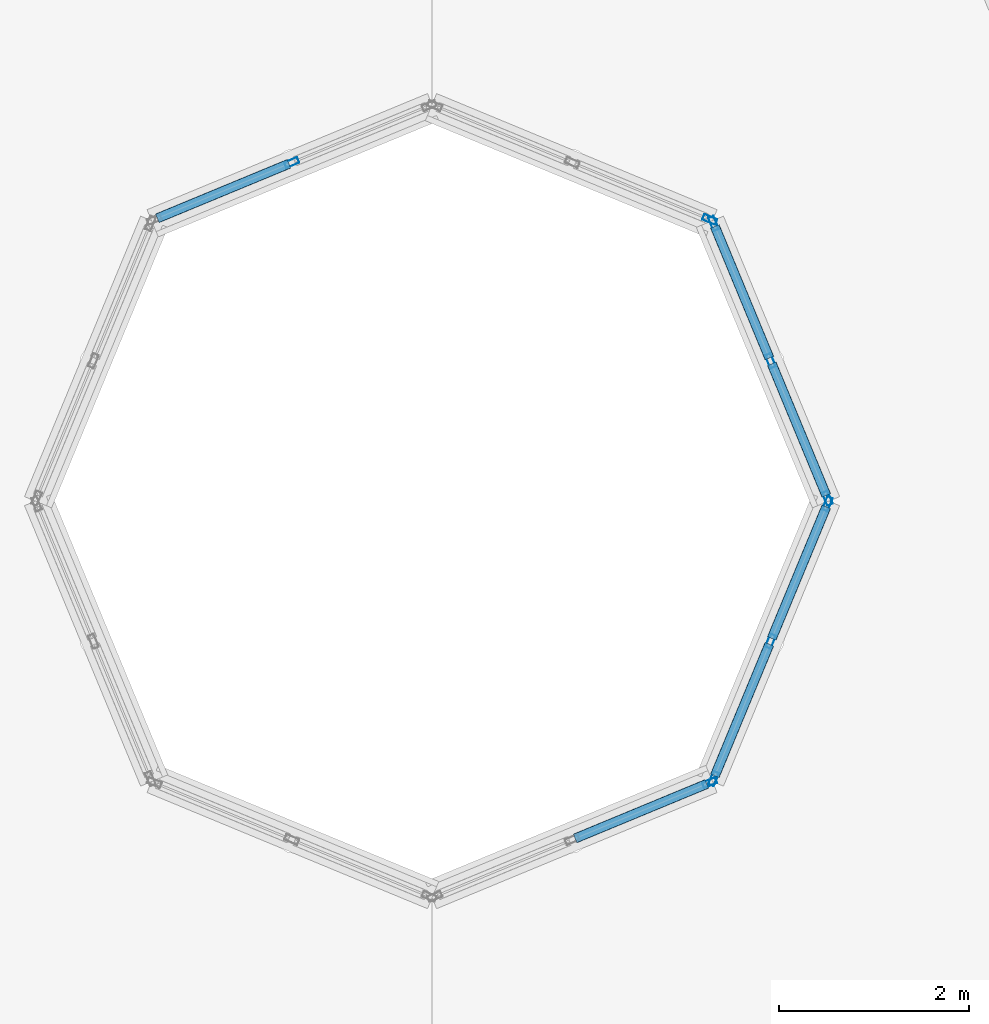
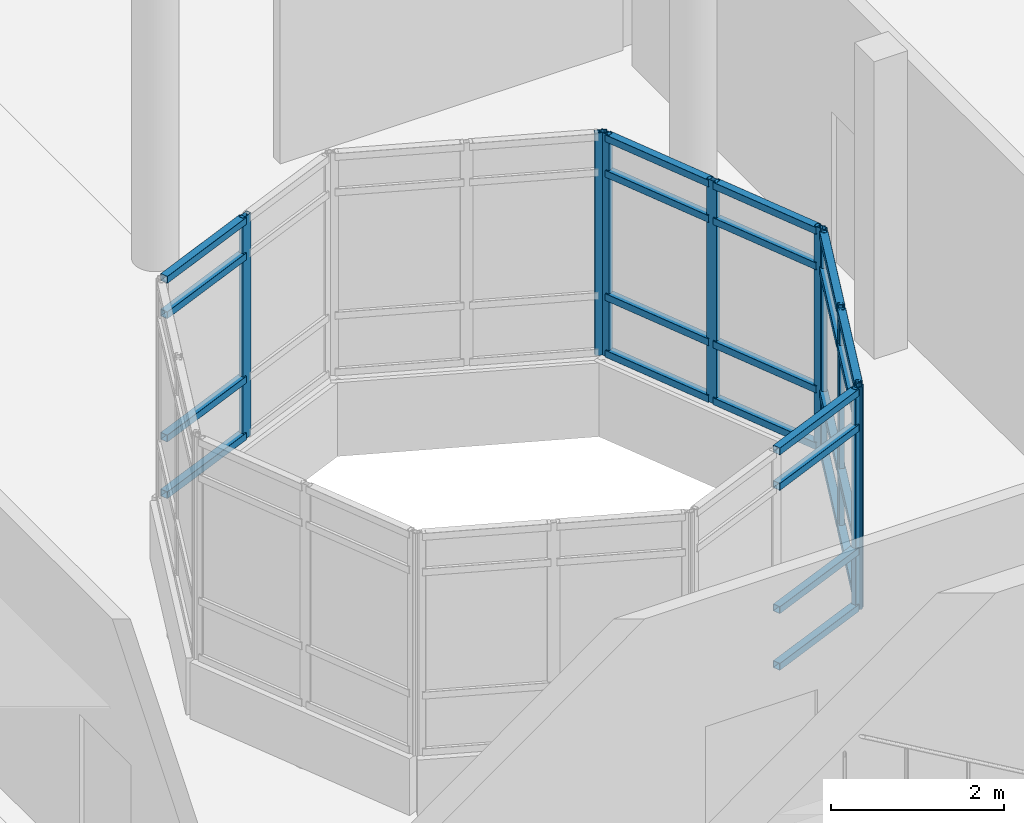
# One storey, part 80 of 128: 33 members, 5 elements without a shape of their own.
"""IFC4 building model written with IfcOpenShell, lengths in metres."""

import ifcopenshell
import ifcopenshell.guid

model = None  # the IFC model being written
_history = None  # IfcOwnerHistory: only IFC2X3 demands one
_inside = {}  # id of a spatial element -> (the spatial element, [elements in it])
_under = {}  # id of a project, library or spatial element -> (it, [spatial elements below it])
_declared = {}  # id of a project -> (the project, [libraries it declares])
_typed = {}  # id of a type object -> (the type object, [elements of that type])
_made_of = {}  # id of a material, layer set ... -> (it, [elements and type objects made of it])


def new_model(schema):
    """Start an empty IFC model of exactly this schema.

    Asked for "IFC4X3", IfcOpenShell would pick the latest addendum, in which some entities
    have other attributes; the version numbers below select the first issue.
    IFC2X3 requires an IfcOwnerHistory on every rooted entity: one is made here for all.
    """
    global model, _history
    if schema == "IFC4X3":
        model = ifcopenshell.file(schema_version=(4, 3, 0, 0))
    else:
        model = ifcopenshell.file(schema=schema)
    _inside.clear()
    _under.clear()
    _declared.clear()
    _typed.clear()
    _made_of.clear()
    _history = None
    if model.schema == "IFC2X3":
        org = make("IfcOrganization", Name="unknown")
        user = make(
            "IfcPersonAndOrganization",
            ThePerson=make("IfcPerson", FamilyName="unknown"),
            TheOrganization=org,
        )
        app = make(
            "IfcApplication",
            ApplicationDeveloper=org,
            Version="unknown",
            ApplicationFullName="unknown",
            ApplicationIdentifier="unknown",
        )
        _history = make(
            "IfcOwnerHistory",
            OwningUser=user,
            OwningApplication=app,
            ChangeAction="ADDED",
            CreationDate=0,
        )
    return model


def make(cls, **values):
    """One entity of the class cls with the attributes given. An attribute that is None is left unset."""
    return model.create_entity(
        cls, **{name: value for name, value in values.items() if value is not None}
    )


def rooted(cls, **values):
    """An entity with a GlobalId (a new one), such as an element, a storey or a relation."""
    return make(cls, GlobalId=ifcopenshell.guid.new(), OwnerHistory=_history, **values)


def si_unit(unit_type, name, prefix=None):
    """IfcSIUnit, for example si_unit("LENGTHUNIT", "METRE", prefix="MILLI")."""
    return make("IfcSIUnit", UnitType=unit_type, Prefix=prefix, Name=name)


def assignment(units):
    """IfcUnitAssignment: the units of a project."""
    return None if units is None else make("IfcUnitAssignment", Units=units)


def point(xyz):
    """IfcCartesianPoint."""
    return None if xyz is None else make("IfcCartesianPoint", Coordinates=xyz)


def direction(xyz):
    """IfcDirection."""
    return None if xyz is None else make("IfcDirection", DirectionRatios=xyz)


def frame(location, z_axis=None, x_axis=None):
    """IfcAxis2Placement3D, a coordinate frame: its origin and axes. An axis left out is left unset."""
    return make(
        "IfcAxis2Placement3D",
        Location=point(location),
        Axis=direction(z_axis),
        RefDirection=direction(x_axis),
    )


def frame_2d(location, x_axis=None):
    """IfcAxis2Placement2D, a coordinate frame in the plane: its origin and x axis."""
    return make(
        "IfcAxis2Placement2D", Location=point(location), RefDirection=direction(x_axis)
    )


def origin():
    """The frame at (0, 0, 0) with its axes left unset."""
    return frame((0.0, 0.0, 0.0))


def origin_2d():
    """The frame at (0, 0) in the plane with its x axis left unset."""
    return frame_2d((0.0, 0.0))


def place(relative_to, where):
    """IfcLocalPlacement: puts the frame where relative to a parent placement (None: the world)."""
    return make(
        "IfcLocalPlacement", PlacementRelTo=relative_to, RelativePlacement=where
    )


def context(
    kind, dimensions, precision=None, world=None, true_north=None, identifier=None
):
    """IfcGeometricRepresentationContext, for example the 3D "Model" context."""
    return make(
        "IfcGeometricRepresentationContext",
        ContextIdentifier=identifier,
        ContextType=kind,
        CoordinateSpaceDimension=dimensions,
        Precision=precision,
        WorldCoordinateSystem=world,
        TrueNorth=true_north,
    )


def subcontext(parent, identifier, kind, view, scale=None):
    """IfcGeometricRepresentationSubContext, for example "Body" below "Model"."""
    return make(
        "IfcGeometricRepresentationSubContext",
        ContextIdentifier=identifier,
        ContextType=kind,
        ParentContext=parent,
        TargetScale=scale,
        TargetView=view,
    )


def project(units=None, contexts=None):
    """IfcProject with its units and contexts."""
    return rooted(
        "IfcProject",
        Name="project",
        RepresentationContexts=contexts,
        UnitsInContext=assignment(units),
    )


def spatial(cls, under=None, at=None, **own):
    """A site, building, storey or space (cls), placed at a placement, below another one or the project."""
    s = rooted(cls, ObjectPlacement=at, **own)
    if under is not None:
        _under.setdefault(under.id(), (under, []))[1].append(s)
    return s


def profile(cls, at=None, kind="AREA", **sizes):
    """A parametric profile (cls). Its sizes go by their IFC names, for example OverallWidth=200.0."""
    return make(cls, ProfileType=kind, Position=at, **sizes)


def hollow_rectangle(**sizes):
    """IfcRectangleHollowProfileDef."""
    return profile("IfcRectangleHollowProfileDef", **sizes)


def extrude(swept, where, along, depth):
    """IfcExtrudedAreaSolid: the profile swept, set in the frame where, extruded along a direction by depth."""
    return make(
        "IfcExtrudedAreaSolid",
        SweptArea=swept,
        Position=where,
        ExtrudedDirection=direction(along),
        Depth=depth,
    )


def shape(context_of_items, identifier, shape_type, items):
    """IfcShapeRepresentation: the items that make up one representation, for example the "Body"."""
    return make(
        "IfcShapeRepresentation",
        ContextOfItems=context_of_items,
        RepresentationIdentifier=identifier,
        RepresentationType=shape_type,
        Items=items,
    )


def material(Name=None, Category=None):
    """IfcMaterial."""
    return make("IfcMaterial", Name=Name, Category=Category)


def layer(
    of_material, thickness, ventilated=None, Name=None, Category=None, Priority=None
):
    """IfcMaterialLayer: one layer of a wall or slab, of a material (None: an air gap)."""
    return make(
        "IfcMaterialLayer",
        Material=of_material,
        LayerThickness=thickness,
        IsVentilated=ventilated,
        Name=Name,
        Category=Category,
        Priority=Priority,
    )


def layer_set(layers, Name=None):
    """IfcMaterialLayerSet."""
    return make("IfcMaterialLayerSet", MaterialLayers=layers, LayerSetName=Name)


def material_profile(
    of_material, cross_section, Name=None, Category=None, Priority=None
):
    """IfcMaterialProfile: a cross section and its material."""
    return make(
        "IfcMaterialProfile",
        Name=Name,
        Material=of_material,
        Profile=cross_section,
        Priority=Priority,
        Category=Category,
    )


def profile_set(profiles, Name=None, composite=None):
    """IfcMaterialProfileSet."""
    return make(
        "IfcMaterialProfileSet",
        Name=Name,
        MaterialProfiles=profiles,
        CompositeProfile=composite,
    )


def made_of(thing, what):
    """Note that an element or type object is made of a material, layer set ...; save() writes the relation."""
    if what is not None:
        _made_of.setdefault(what.id(), (what, []))[1].append(thing)
    return thing


def type_object(cls, material=None, **own):
    """A type object (cls), such as IfcWallType, which elements share."""
    return made_of(rooted(cls, **own), material)


def element(
    cls,
    number,
    at=None,
    inside=None,
    cuts=None,
    type_object=None,
    material=None,
    context=None,
    identifier="Body",
    shape_type=None,
    held_by="IfcProductDefinitionShape",
    body=None,
    shapes=None,
    **own,
):
    """One element of the class cls, such as IfcWall. Its Tag is "e" and its number.

    at: its placement. inside: the storey or other place that contains it. cuts: it is an
    opening in that element (IfcRelVoidsElement). A single representation is given by context,
    identifier, shape_type and body (its items); several are given by shapes. held_by: the class
    of the entity that holds the representations. save() writes the other relations.
    """
    e = rooted(cls, Tag="e%d" % number, ObjectPlacement=at, **own)
    if body is not None:
        shapes = [shape(context, identifier, shape_type, body)]
    if shapes is not None:
        e.Representation = make(held_by, Representations=shapes)
    if inside is not None:
        _inside.setdefault(inside.id(), (inside, []))[1].append(e)
    if cuts is not None:
        rooted(
            "IfcRelVoidsElement", RelatingBuildingElement=cuts, RelatedOpeningElement=e
        )
    if type_object is not None:
        _typed.setdefault(type_object.id(), (type_object, []))[1].append(e)
    return made_of(e, material)


def aggregate(whole, parts):
    """IfcRelAggregates: a whole, such as a stair, and the parts it consists of."""
    return rooted("IfcRelAggregates", RelatingObject=whole, RelatedObjects=parts)


def save(model, path):
    """Write the relations noted so far, then the file.

    IfcRelAggregates (storeys below a building ...), IfcRelContainedInSpatialStructure (elements
    in a storey), IfcRelDefinesByType, IfcRelAssociatesMaterial and IfcRelDeclares: one each for
    every whole, place, type object, material and project.
    """
    for whole, parts in _under.values():
        aggregate(whole, parts)
    for where, things in _inside.values():
        rooted(
            "IfcRelContainedInSpatialStructure",
            RelatedElements=things,
            RelatingStructure=where,
        )
    for kind, things in _typed.values():
        rooted("IfcRelDefinesByType", RelatedObjects=things, RelatingType=kind)
    for what, things in _made_of.values():
        rooted("IfcRelAssociatesMaterial", RelatedObjects=things, RelatingMaterial=what)
    for by, libraries in _declared.values():
        rooted("IfcRelDeclares", RelatingContext=by, RelatedDefinitions=libraries)
    model.write(path)


model = new_model("IFC4")

# Units and contexts
model_context = context("Model", 3, precision=1e-05, world=origin(), true_north=direction((0.0, 1.0)))
body_context = subcontext(model_context, "Body", "Model", "MODEL_VIEW")
ifc_project = project(units=[si_unit("LENGTHUNIT", "METRE"), si_unit("AREAUNIT", "SQUARE_METRE"), si_unit("VOLUMEUNIT", "CUBIC_METRE"), si_unit("PLANEANGLEUNIT", "RADIAN"), si_unit("MASSUNIT", "GRAM", prefix="KILO")], contexts=[model_context])

# Site, building, storey
site_placement = place(None, origin())
site = spatial("IfcSite", under=ifc_project, at=site_placement, CompositionType="ELEMENT")
building_placement = place(site_placement, origin())
building = spatial("IfcBuilding", under=site, at=building_placement, Name="Vespera Passage Community Centre", CompositionType="ELEMENT")
storey_placement = place(building_placement, frame((0.0, 0.0, 4.5)))
storey = spatial("IfcBuildingStorey", under=building, at=storey_placement, Name="L01", CompositionType="ELEMENT", Elevation=4.5)

# Curtain wall, members
ifc_material_1 = material(Name="Anodized aluminium 6063-T6", Category="aluminium")
ifc_layer = layer(ifc_material_1, 0.159912109375)
ifc_layer_set = layer_set([ifc_layer], Name="Anodized aluminium 6063-T6")
curtain_wall_type = type_object("IfcCurtainWallType", Name="CW-107E", PredefinedType="NOTDEFINED", material=ifc_layer_set)
curtain_wall_1_placement = place(storey_placement, origin())
curtain_wall_1 = element("IfcCurtainWall", 1, at=curtain_wall_1_placement, inside=storey, type_object=curtain_wall_type, Name="V3 L01 Inner Court Ribbon Curtain Wall 1", PredefinedType="NOTDEFINED")
ifc_material_2 = material(Name="Anodized aluminium 6063-T6", Category="aluminium")
ifc_material_profile_1 = material_profile(ifc_material_2, hollow_rectangle(XDim=0.06494140625, YDim=0.14990234375, WallThickness=0.00390625, InnerFilletRadius=0.001953125, OuterFilletRadius=0.00390625, at=origin_2d()), Name="ALU150X65X4")
ifc_profile_set_1 = profile_set([ifc_material_profile_1], Name="Anodized aluminium 6063-T6")
member_type_1 = type_object("IfcMemberType", Name="MB-CWM-150E", PredefinedType="MULLION", material=ifc_profile_set_1)
member_1_placement = place(storey_placement, frame((145.16748046875, 25.030029296875, 0.800048828125), z_axis=(0.0, 0.0, 1.0), x_axis=(-0.923878540804, -0.382685826549, 0.0)))
member_1 = element("IfcMember", 2, at=member_1_placement, type_object=member_type_1, Name="CW-107E mullion 1", PredefinedType="MULLION", context=body_context, shape_type="SweptSolid", body=[
    extrude(hollow_rectangle(XDim=0.06494140625, YDim=0.14990234375, WallThickness=0.00390625, InnerFilletRadius=0.001953125, OuterFilletRadius=0.00390625, at=origin_2d()), origin(), (0.0, 0.0, 1.0), 3.139892578125),
])
member_2_placement = place(storey_placement, frame((144.56787109375, 26.477783203125, 0.800048828125), z_axis=(0.0, 0.0, 1.0), x_axis=(-0.923878540804, -0.382685826549, 0.0)))
member_2 = element("IfcMember", 3, at=member_2_placement, type_object=member_type_1, Name="CW-107E mullion 2", PredefinedType="MULLION", context=body_context, shape_type="SweptSolid", body=[
    extrude(hollow_rectangle(XDim=0.06494140625, YDim=0.14990234375, WallThickness=0.00390625, InnerFilletRadius=0.001953125, OuterFilletRadius=0.00390625, at=origin_2d()), origin(), (0.0, 0.0, 1.0), 3.139892578125),
])
member_3_placement = place(storey_placement, frame((143.968017578125, 27.92578125, 0.800048828125), z_axis=(0.0, 0.0, 1.0), x_axis=(-0.923878540804, -0.382685826549, 0.0)))
member_3 = element("IfcMember", 4, at=member_3_placement, type_object=member_type_1, Name="CW-107E mullion 3", PredefinedType="MULLION", context=body_context, shape_type="SweptSolid", body=[
    extrude(hollow_rectangle(XDim=0.06494140625, YDim=0.14990234375, WallThickness=0.00390625, InnerFilletRadius=0.001953125, OuterFilletRadius=0.00390625, at=origin_2d()), origin(), (0.0, 0.0, 1.0), 3.139892578125),
])

# Curtain wall, member
curtain_wall_2_placement = place(storey_placement, origin())
curtain_wall_2 = element("IfcCurtainWall", 5, at=curtain_wall_2_placement, inside=storey, type_object=curtain_wall_type, Name="V3 L01 Inner Court Ribbon Curtain Wall 2", PredefinedType="NOTDEFINED")
member_4_placement = place(storey_placement, frame((143.92578125, 27.968017578125, 0.800048828125), z_axis=(0.0, 0.0, 1.0), x_axis=(-0.382685826549, -0.923878540804, 0.0)))
member_4 = element("IfcMember", 6, at=member_4_placement, type_object=member_type_1, Name="CW-107E mullion 1", PredefinedType="MULLION", context=body_context, shape_type="SweptSolid", body=[
    extrude(hollow_rectangle(XDim=0.06494140625, YDim=0.14990234375, WallThickness=0.00390625, InnerFilletRadius=0.001953125, OuterFilletRadius=0.00390625, at=origin_2d()), origin(), (0.0, 0.0, 1.0), 3.139892578125),
])
aggregate(curtain_wall_2, [member_4])

curtain_wall_3_placement = place(storey_placement, origin())
curtain_wall_3 = element("IfcCurtainWall", 7, at=curtain_wall_3_placement, inside=storey, type_object=curtain_wall_type, Name="V3 L01 Inner Court Ribbon Curtain Wall 3", PredefinedType="NOTDEFINED")
member_5_placement = place(storey_placement, frame((139.522216796875, 28.56787109375, 0.800048828125), z_axis=(0.0, 0.0, 1.0), x_axis=(0.382685826549, -0.923878540804, 0.0)))
member_5 = element("IfcMember", 8, at=member_5_placement, type_object=member_type_1, Name="CW-107E mullion 2", PredefinedType="MULLION", context=body_context, shape_type="SweptSolid", body=[
    extrude(hollow_rectangle(XDim=0.06494140625, YDim=0.14990234375, WallThickness=0.00390625, InnerFilletRadius=0.001953125, OuterFilletRadius=0.00390625, at=origin_2d()), origin(), (0.0, 0.0, 1.0), 3.139892578125),
])

curtain_wall_4_placement = place(storey_placement, origin())
curtain_wall_4 = element("IfcCurtainWall", 9, at=curtain_wall_4_placement, inside=storey, type_object=curtain_wall_type, Name="V3 L01 Inner Court Ribbon Curtain Wall 7", PredefinedType="NOTDEFINED")
member_6_placement = place(storey_placement, frame((143.92578125, 22.031982421875, 0.800048828125), z_axis=(0.0, 0.0, 1.0), x_axis=(-0.382685826549, 0.923878540804, 0.0)))
member_6 = element("IfcMember", 10, at=member_6_placement, type_object=member_type_1, Name="CW-107E mullion 3", PredefinedType="MULLION", context=body_context, shape_type="SweptSolid", body=[
    extrude(hollow_rectangle(XDim=0.06494140625, YDim=0.14990234375, WallThickness=0.00390625, InnerFilletRadius=0.001953125, OuterFilletRadius=0.00390625, at=origin_2d()), origin(), (0.0, 0.0, 1.0), 3.139892578125),
])

# Curtain wall, members
curtain_wall_5_placement = place(storey_placement, origin())
curtain_wall_5 = element("IfcCurtainWall", 11, at=curtain_wall_5_placement, inside=storey, type_object=curtain_wall_type, Name="V3 L01 Inner Court Ribbon Curtain Wall 8", PredefinedType="NOTDEFINED")
member_7_placement = place(storey_placement, frame((143.968017578125, 22.07421875, 0.800048828125), z_axis=(0.0, 0.0, 1.0), x_axis=(-0.923878540804, 0.382685826549, 0.0)))
member_7 = element("IfcMember", 12, at=member_7_placement, type_object=member_type_1, Name="CW-107E mullion 1", PredefinedType="MULLION", context=body_context, shape_type="SweptSolid", body=[
    extrude(hollow_rectangle(XDim=0.06494140625, YDim=0.14990234375, WallThickness=0.00390625, InnerFilletRadius=0.001953125, OuterFilletRadius=0.00390625, at=origin_2d()), origin(), (0.0, 0.0, 1.0), 3.139892578125),
])
member_8_placement = place(storey_placement, frame((144.56787109375, 23.522216796875, 0.800048828125), z_axis=(0.0, 0.0, 1.0), x_axis=(-0.923878540804, 0.382685826549, 0.0)))
member_8 = element("IfcMember", 13, at=member_8_placement, type_object=member_type_1, Name="CW-107E mullion 2", PredefinedType="MULLION", context=body_context, shape_type="SweptSolid", body=[
    extrude(hollow_rectangle(XDim=0.06494140625, YDim=0.14990234375, WallThickness=0.00390625, InnerFilletRadius=0.001953125, OuterFilletRadius=0.00390625, at=origin_2d()), origin(), (0.0, 0.0, 1.0), 3.139892578125),
])
member_9_placement = place(storey_placement, frame((145.16748046875, 24.969970703125, 0.800048828125), z_axis=(0.0, 0.0, 1.0), x_axis=(-0.923878540804, 0.382685826549, 0.0)))
member_9 = element("IfcMember", 14, at=member_9_placement, type_object=member_type_1, Name="CW-107E mullion 3", PredefinedType="MULLION", context=body_context, shape_type="SweptSolid", body=[
    extrude(hollow_rectangle(XDim=0.06494140625, YDim=0.14990234375, WallThickness=0.00390625, InnerFilletRadius=0.001953125, OuterFilletRadius=0.00390625, at=origin_2d()), origin(), (0.0, 0.0, 1.0), 3.139892578125),
])

# Member
ifc_material_3 = material(Name="Anodized aluminium 6063-T6", Category="aluminium")
ifc_material_profile_2 = material_profile(ifc_material_3, hollow_rectangle(XDim=0.10009765625, YDim=0.10009765625, WallThickness=0.00390625, InnerFilletRadius=0.001953125, OuterFilletRadius=0.00390625, at=origin_2d()), Name="ALU100X100X4")
ifc_profile_set_2 = profile_set([ifc_material_profile_2], Name="Anodized aluminium 6063-T6")
member_type_2 = type_object("IfcMemberType", Name="MB-CWT-100E", PredefinedType="USERDEFINED", material=ifc_profile_set_2)
member_10_placement = place(storey_placement, frame((145.155029296875, 25.06005859375, 0.85009765625), z_axis=(-0.382629338474, 0.923901937079, 0.0), x_axis=(-0.923901937079, -0.382629338474, 0.0)))
member_10 = element("IfcMember", 15, at=member_10_placement, type_object=member_type_2, Name="CW-107E transom 1.1", ObjectType="TRANSOM", PredefinedType="USERDEFINED", context=body_context, shape_type="SweptSolid", body=[
    extrude(hollow_rectangle(XDim=0.10009765625, YDim=0.10009765625, WallThickness=0.00390625, InnerFilletRadius=0.001953125, OuterFilletRadius=0.00390625, at=origin_2d()), origin(), (0.0, 0.0, 1.0), 1.501953125),
])

member_11_placement = place(storey_placement, frame((145.155029296875, 25.06005859375, 1.64990234375), z_axis=(-0.382629338474, 0.923901937079, 0.0), x_axis=(-0.923901937079, -0.382629338474, 0.0)))
member_11 = element("IfcMember", 16, at=member_11_placement, type_object=member_type_2, Name="CW-107E transom 1.2", ObjectType="TRANSOM", PredefinedType="USERDEFINED", context=body_context, shape_type="SweptSolid", body=[
    extrude(hollow_rectangle(XDim=0.10009765625, YDim=0.10009765625, WallThickness=0.00390625, InnerFilletRadius=0.001953125, OuterFilletRadius=0.00390625, at=origin_2d()), origin(), (0.0, 0.0, 1.0), 1.501953125),
])

member_12_placement = place(storey_placement, frame((145.155029296875, 25.06005859375, 3.389892578125), z_axis=(-0.382629338474, 0.923901937079, 0.0), x_axis=(-0.923901937079, -0.382629338474, 0.0)))
member_12 = element("IfcMember", 17, at=member_12_placement, type_object=member_type_2, Name="CW-107E transom 1.3", ObjectType="TRANSOM", PredefinedType="USERDEFINED", context=body_context, shape_type="SweptSolid", body=[
    extrude(hollow_rectangle(XDim=0.10009765625, YDim=0.10009765625, WallThickness=0.00390625, InnerFilletRadius=0.001953125, OuterFilletRadius=0.00390625, at=origin_2d()), origin(), (0.0, 0.0, 1.0), 1.501953125),
])

member_13_placement = place(storey_placement, frame((145.155029296875, 25.06005859375, 3.889892578125), z_axis=(-0.382629338474, 0.923901937079, 0.0), x_axis=(-0.923901937079, -0.382629338474, 0.0)))
member_13 = element("IfcMember", 18, at=member_13_placement, type_object=member_type_2, Name="CW-107E transom 1.4", ObjectType="TRANSOM", PredefinedType="USERDEFINED", context=body_context, shape_type="SweptSolid", body=[
    extrude(hollow_rectangle(XDim=0.10009765625, YDim=0.10009765625, WallThickness=0.00390625, InnerFilletRadius=0.001953125, OuterFilletRadius=0.00390625, at=origin_2d()), origin(), (0.0, 0.0, 1.0), 1.501953125),
])

member_14_placement = place(storey_placement, frame((144.555419921875, 26.5078125, 0.85009765625), z_axis=(-0.382710605355, 0.923868276622, 0.0), x_axis=(-0.923868276622, -0.382710605355, 0.0)))
member_14 = element("IfcMember", 19, at=member_14_placement, type_object=member_type_2, Name="CW-107E transom 2.1", ObjectType="TRANSOM", PredefinedType="USERDEFINED", context=body_context, shape_type="SweptSolid", body=[
    extrude(hollow_rectangle(XDim=0.10009765625, YDim=0.10009765625, WallThickness=0.00390625, InnerFilletRadius=0.001953125, OuterFilletRadius=0.00390625, at=origin_2d()), origin(), (0.0, 0.0, 1.0), 1.502197265625),
])

member_15_placement = place(storey_placement, frame((144.555419921875, 26.5078125, 1.64990234375), z_axis=(-0.382710605355, 0.923868276622, 0.0), x_axis=(-0.923868276622, -0.382710605355, 0.0)))
member_15 = element("IfcMember", 20, at=member_15_placement, type_object=member_type_2, Name="CW-107E transom 2.2", ObjectType="TRANSOM", PredefinedType="USERDEFINED", context=body_context, shape_type="SweptSolid", body=[
    extrude(hollow_rectangle(XDim=0.10009765625, YDim=0.10009765625, WallThickness=0.00390625, InnerFilletRadius=0.001953125, OuterFilletRadius=0.00390625, at=origin_2d()), origin(), (0.0, 0.0, 1.0), 1.502197265625),
])

member_16_placement = place(storey_placement, frame((144.555419921875, 26.5078125, 3.389892578125), z_axis=(-0.382710605355, 0.923868276622, 0.0), x_axis=(-0.923868276622, -0.382710605355, 0.0)))
member_16 = element("IfcMember", 21, at=member_16_placement, type_object=member_type_2, Name="CW-107E transom 2.3", ObjectType="TRANSOM", PredefinedType="USERDEFINED", context=body_context, shape_type="SweptSolid", body=[
    extrude(hollow_rectangle(XDim=0.10009765625, YDim=0.10009765625, WallThickness=0.00390625, InnerFilletRadius=0.001953125, OuterFilletRadius=0.00390625, at=origin_2d()), origin(), (0.0, 0.0, 1.0), 1.502197265625),
])

member_17_placement = place(storey_placement, frame((144.555419921875, 26.5078125, 3.889892578125), z_axis=(-0.382710605355, 0.923868276622, 0.0), x_axis=(-0.923868276622, -0.382710605355, 0.0)))
member_17 = element("IfcMember", 22, at=member_17_placement, type_object=member_type_2, Name="CW-107E transom 2.4", ObjectType="TRANSOM", PredefinedType="USERDEFINED", context=body_context, shape_type="SweptSolid", body=[
    extrude(hollow_rectangle(XDim=0.10009765625, YDim=0.10009765625, WallThickness=0.00390625, InnerFilletRadius=0.001953125, OuterFilletRadius=0.00390625, at=origin_2d()), origin(), (0.0, 0.0, 1.0), 1.502197265625),
])

aggregate(curtain_wall_1, [member_1, member_2, member_3, member_10, member_11, member_12, member_13, member_14, member_15, member_16, member_17])

member_18_placement = place(storey_placement, frame((139.4921875, 28.555419921875, 0.85009765625), z_axis=(-0.923868276622, -0.382710605355, 0.0), x_axis=(0.382710605355, -0.923868276622, 0.0)))
member_18 = element("IfcMember", 23, at=member_18_placement, type_object=member_type_2, Name="CW-107E transom 2.1", ObjectType="TRANSOM", PredefinedType="USERDEFINED", context=body_context, shape_type="SweptSolid", body=[
    extrude(hollow_rectangle(XDim=0.10009765625, YDim=0.10009765625, WallThickness=0.00390625, InnerFilletRadius=0.001953125, OuterFilletRadius=0.00390625, at=origin_2d()), origin(), (0.0, 0.0, 1.0), 1.502197265625),
])

member_19_placement = place(storey_placement, frame((139.4921875, 28.555419921875, 1.64990234375), z_axis=(-0.923868276622, -0.382710605355, 0.0), x_axis=(0.382710605355, -0.923868276622, 0.0)))
member_19 = element("IfcMember", 24, at=member_19_placement, type_object=member_type_2, Name="CW-107E transom 2.2", ObjectType="TRANSOM", PredefinedType="USERDEFINED", context=body_context, shape_type="SweptSolid", body=[
    extrude(hollow_rectangle(XDim=0.10009765625, YDim=0.10009765625, WallThickness=0.00390625, InnerFilletRadius=0.001953125, OuterFilletRadius=0.00390625, at=origin_2d()), origin(), (0.0, 0.0, 1.0), 1.502197265625),
])

member_20_placement = place(storey_placement, frame((139.4921875, 28.555419921875, 3.389892578125), z_axis=(-0.923868276622, -0.382710605355, 0.0), x_axis=(0.382710605355, -0.923868276622, 0.0)))
member_20 = element("IfcMember", 25, at=member_20_placement, type_object=member_type_2, Name="CW-107E transom 2.3", ObjectType="TRANSOM", PredefinedType="USERDEFINED", context=body_context, shape_type="SweptSolid", body=[
    extrude(hollow_rectangle(XDim=0.10009765625, YDim=0.10009765625, WallThickness=0.00390625, InnerFilletRadius=0.001953125, OuterFilletRadius=0.00390625, at=origin_2d()), origin(), (0.0, 0.0, 1.0), 1.502197265625),
])

member_21_placement = place(storey_placement, frame((139.4921875, 28.555419921875, 3.889892578125), z_axis=(-0.923868276622, -0.382710605355, 0.0), x_axis=(0.382710605355, -0.923868276622, 0.0)))
member_21 = element("IfcMember", 26, at=member_21_placement, type_object=member_type_2, Name="CW-107E transom 2.4", ObjectType="TRANSOM", PredefinedType="USERDEFINED", context=body_context, shape_type="SweptSolid", body=[
    extrude(hollow_rectangle(XDim=0.10009765625, YDim=0.10009765625, WallThickness=0.00390625, InnerFilletRadius=0.001953125, OuterFilletRadius=0.00390625, at=origin_2d()), origin(), (0.0, 0.0, 1.0), 1.502197265625),
])

aggregate(curtain_wall_3, [member_5, member_18, member_19, member_20, member_21])

member_22_placement = place(storey_placement, frame((142.5078125, 21.444580078125, 0.85009765625), z_axis=(0.923868276622, 0.382710605355, 0.0), x_axis=(-0.382710605355, 0.923868276622, 0.0)))
member_22 = element("IfcMember", 27, at=member_22_placement, type_object=member_type_2, Name="CW-107E transom 2.1", ObjectType="TRANSOM", PredefinedType="USERDEFINED", context=body_context, shape_type="SweptSolid", body=[
    extrude(hollow_rectangle(XDim=0.10009765625, YDim=0.10009765625, WallThickness=0.00390625, InnerFilletRadius=0.001953125, OuterFilletRadius=0.00390625, at=origin_2d()), origin(), (0.0, 0.0, 1.0), 1.502197265625),
])

member_23_placement = place(storey_placement, frame((142.5078125, 21.444580078125, 1.64990234375), z_axis=(0.923868276622, 0.382710605355, 0.0), x_axis=(-0.382710605355, 0.923868276622, 0.0)))
member_23 = element("IfcMember", 28, at=member_23_placement, type_object=member_type_2, Name="CW-107E transom 2.2", ObjectType="TRANSOM", PredefinedType="USERDEFINED", context=body_context, shape_type="SweptSolid", body=[
    extrude(hollow_rectangle(XDim=0.10009765625, YDim=0.10009765625, WallThickness=0.00390625, InnerFilletRadius=0.001953125, OuterFilletRadius=0.00390625, at=origin_2d()), origin(), (0.0, 0.0, 1.0), 1.502197265625),
])

member_24_placement = place(storey_placement, frame((142.5078125, 21.444580078125, 3.389892578125), z_axis=(0.923868276622, 0.382710605355, 0.0), x_axis=(-0.382710605355, 0.923868276622, 0.0)))
member_24 = element("IfcMember", 29, at=member_24_placement, type_object=member_type_2, Name="CW-107E transom 2.3", ObjectType="TRANSOM", PredefinedType="USERDEFINED", context=body_context, shape_type="SweptSolid", body=[
    extrude(hollow_rectangle(XDim=0.10009765625, YDim=0.10009765625, WallThickness=0.00390625, InnerFilletRadius=0.001953125, OuterFilletRadius=0.00390625, at=origin_2d()), origin(), (0.0, 0.0, 1.0), 1.502197265625),
])

member_25_placement = place(storey_placement, frame((142.5078125, 21.444580078125, 3.889892578125), z_axis=(0.923868276622, 0.382710605355, 0.0), x_axis=(-0.382710605355, 0.923868276622, 0.0)))
member_25 = element("IfcMember", 30, at=member_25_placement, type_object=member_type_2, Name="CW-107E transom 2.4", ObjectType="TRANSOM", PredefinedType="USERDEFINED", context=body_context, shape_type="SweptSolid", body=[
    extrude(hollow_rectangle(XDim=0.10009765625, YDim=0.10009765625, WallThickness=0.00390625, InnerFilletRadius=0.001953125, OuterFilletRadius=0.00390625, at=origin_2d()), origin(), (0.0, 0.0, 1.0), 1.502197265625),
])

aggregate(curtain_wall_4, [member_6, member_22, member_23, member_24, member_25])

member_26_placement = place(storey_placement, frame((143.98046875, 22.104248046875, 0.85009765625), z_axis=(0.382710605355, 0.923868276622, 0.0), x_axis=(-0.923868276622, 0.382710605355, 0.0)))
member_26 = element("IfcMember", 31, at=member_26_placement, type_object=member_type_2, Name="CW-107E transom 1.1", ObjectType="TRANSOM", PredefinedType="USERDEFINED", context=body_context, shape_type="SweptSolid", body=[
    extrude(hollow_rectangle(XDim=0.10009765625, YDim=0.10009765625, WallThickness=0.00390625, InnerFilletRadius=0.001953125, OuterFilletRadius=0.00390625, at=origin_2d()), origin(), (0.0, 0.0, 1.0), 1.502197265625),
])

member_27_placement = place(storey_placement, frame((143.98046875, 22.104248046875, 1.64990234375), z_axis=(0.382710605355, 0.923868276622, 0.0), x_axis=(-0.923868276622, 0.382710605355, 0.0)))
member_27 = element("IfcMember", 32, at=member_27_placement, type_object=member_type_2, Name="CW-107E transom 1.2", ObjectType="TRANSOM", PredefinedType="USERDEFINED", context=body_context, shape_type="SweptSolid", body=[
    extrude(hollow_rectangle(XDim=0.10009765625, YDim=0.10009765625, WallThickness=0.00390625, InnerFilletRadius=0.001953125, OuterFilletRadius=0.00390625, at=origin_2d()), origin(), (0.0, 0.0, 1.0), 1.502197265625),
])

member_28_placement = place(storey_placement, frame((143.98046875, 22.104248046875, 3.389892578125), z_axis=(0.382710605355, 0.923868276622, 0.0), x_axis=(-0.923868276622, 0.382710605355, 0.0)))
member_28 = element("IfcMember", 33, at=member_28_placement, type_object=member_type_2, Name="CW-107E transom 1.3", ObjectType="TRANSOM", PredefinedType="USERDEFINED", context=body_context, shape_type="SweptSolid", body=[
    extrude(hollow_rectangle(XDim=0.10009765625, YDim=0.10009765625, WallThickness=0.00390625, InnerFilletRadius=0.001953125, OuterFilletRadius=0.00390625, at=origin_2d()), origin(), (0.0, 0.0, 1.0), 1.502197265625),
])

member_29_placement = place(storey_placement, frame((143.98046875, 22.104248046875, 3.889892578125), z_axis=(0.382710605355, 0.923868276622, 0.0), x_axis=(-0.923868276622, 0.382710605355, 0.0)))
member_29 = element("IfcMember", 34, at=member_29_placement, type_object=member_type_2, Name="CW-107E transom 1.4", ObjectType="TRANSOM", PredefinedType="USERDEFINED", context=body_context, shape_type="SweptSolid", body=[
    extrude(hollow_rectangle(XDim=0.10009765625, YDim=0.10009765625, WallThickness=0.00390625, InnerFilletRadius=0.001953125, OuterFilletRadius=0.00390625, at=origin_2d()), origin(), (0.0, 0.0, 1.0), 1.502197265625),
])

member_30_placement = place(storey_placement, frame((144.580322265625, 23.55224609375, 0.85009765625), z_axis=(0.382629338474, 0.923901937079, 0.0), x_axis=(-0.923901937079, 0.382629338474, 0.0)))
member_30 = element("IfcMember", 35, at=member_30_placement, type_object=member_type_2, Name="CW-107E transom 2.1", ObjectType="TRANSOM", PredefinedType="USERDEFINED", context=body_context, shape_type="SweptSolid", body=[
    extrude(hollow_rectangle(XDim=0.10009765625, YDim=0.10009765625, WallThickness=0.00390625, InnerFilletRadius=0.001953125, OuterFilletRadius=0.00390625, at=origin_2d()), origin(), (0.0, 0.0, 1.0), 1.501953125),
])

member_31_placement = place(storey_placement, frame((144.580322265625, 23.55224609375, 1.64990234375), z_axis=(0.382629338474, 0.923901937079, 0.0), x_axis=(-0.923901937079, 0.382629338474, 0.0)))
member_31 = element("IfcMember", 36, at=member_31_placement, type_object=member_type_2, Name="CW-107E transom 2.2", ObjectType="TRANSOM", PredefinedType="USERDEFINED", context=body_context, shape_type="SweptSolid", body=[
    extrude(hollow_rectangle(XDim=0.10009765625, YDim=0.10009765625, WallThickness=0.00390625, InnerFilletRadius=0.001953125, OuterFilletRadius=0.00390625, at=origin_2d()), origin(), (0.0, 0.0, 1.0), 1.501953125),
])

member_32_placement = place(storey_placement, frame((144.580322265625, 23.55224609375, 3.389892578125), z_axis=(0.382629338474, 0.923901937079, 0.0), x_axis=(-0.923901937079, 0.382629338474, 0.0)))
member_32 = element("IfcMember", 37, at=member_32_placement, type_object=member_type_2, Name="CW-107E transom 2.3", ObjectType="TRANSOM", PredefinedType="USERDEFINED", context=body_context, shape_type="SweptSolid", body=[
    extrude(hollow_rectangle(XDim=0.10009765625, YDim=0.10009765625, WallThickness=0.00390625, InnerFilletRadius=0.001953125, OuterFilletRadius=0.00390625, at=origin_2d()), origin(), (0.0, 0.0, 1.0), 1.501953125),
])

member_33_placement = place(storey_placement, frame((144.580322265625, 23.55224609375, 3.889892578125), z_axis=(0.382629338474, 0.923901937079, 0.0), x_axis=(-0.923901937079, 0.382629338474, 0.0)))
member_33 = element("IfcMember", 38, at=member_33_placement, type_object=member_type_2, Name="CW-107E transom 2.4", ObjectType="TRANSOM", PredefinedType="USERDEFINED", context=body_context, shape_type="SweptSolid", body=[
    extrude(hollow_rectangle(XDim=0.10009765625, YDim=0.10009765625, WallThickness=0.00390625, InnerFilletRadius=0.001953125, OuterFilletRadius=0.00390625, at=origin_2d()), origin(), (0.0, 0.0, 1.0), 1.501953125),
])

aggregate(curtain_wall_5, [member_7, member_8, member_9, member_26, member_27, member_28, member_29, member_30, member_31, member_32, member_33])

save(model, "model.ifc")
